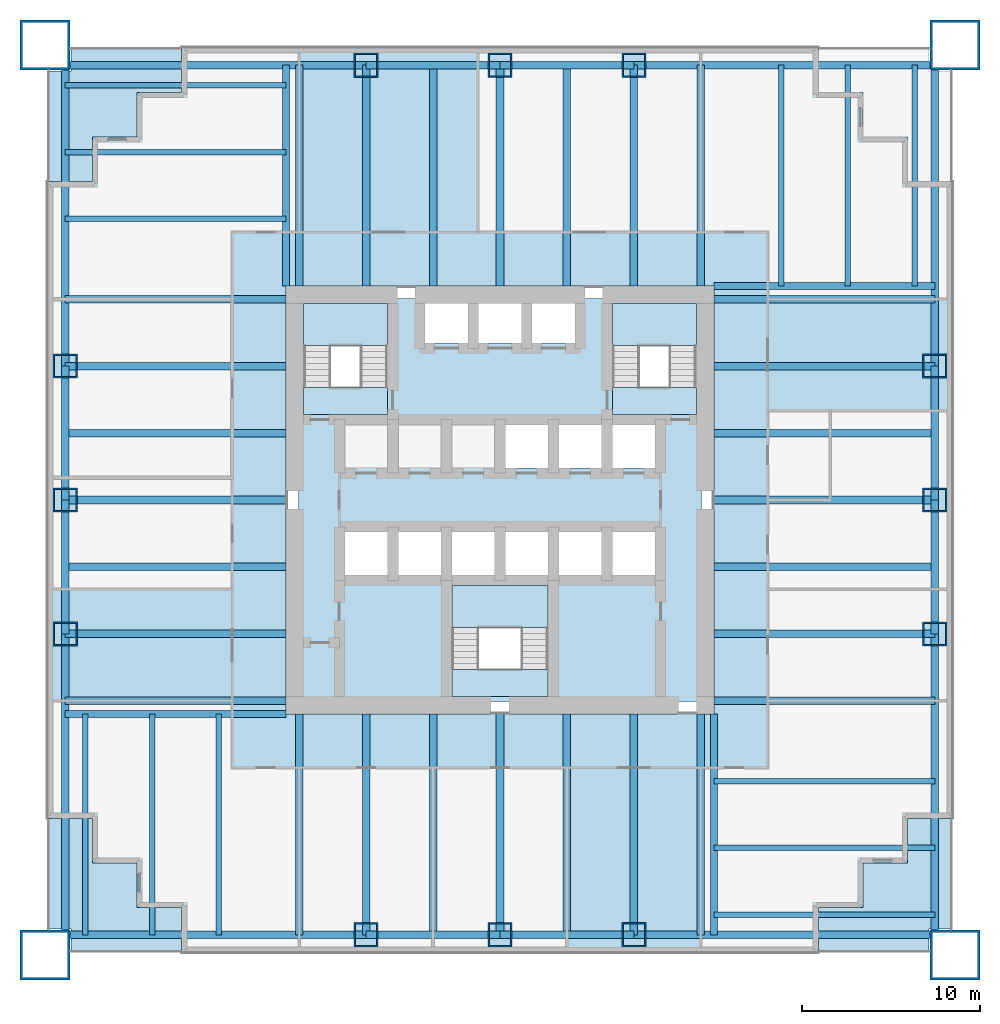
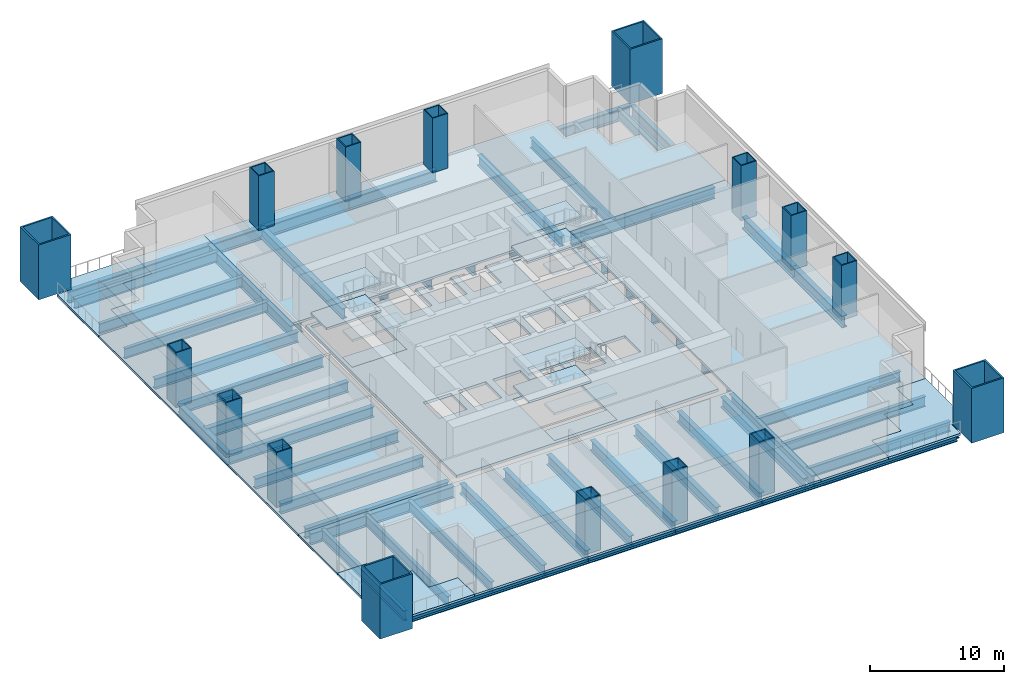
# One storey, part 1 of 6: 60 beams, 20 slabs, 16 columns, 3 elements without a shape of their own.
"""IFC4 building model written with IfcOpenShell, lengths in metres."""

import ifcopenshell
import ifcopenshell.guid

model = None  # the IFC model being written
_history = None  # IfcOwnerHistory: only IFC2X3 demands one
_inside = {}  # id of a spatial element -> (the spatial element, [elements in it])
_under = {}  # id of a project, library or spatial element -> (it, [spatial elements below it])
_declared = {}  # id of a project -> (the project, [libraries it declares])
_typed = {}  # id of a type object -> (the type object, [elements of that type])
_made_of = {}  # id of a material, layer set ... -> (it, [elements and type objects made of it])


def new_model(schema):
    """Start an empty IFC model of exactly this schema.

    Asked for "IFC4X3", IfcOpenShell would pick the latest addendum, in which some entities
    have other attributes; the version numbers below select the first issue.
    IFC2X3 requires an IfcOwnerHistory on every rooted entity: one is made here for all.
    """
    global model, _history
    if schema == "IFC4X3":
        model = ifcopenshell.file(schema_version=(4, 3, 0, 0))
    else:
        model = ifcopenshell.file(schema=schema)
    _inside.clear()
    _under.clear()
    _declared.clear()
    _typed.clear()
    _made_of.clear()
    _history = None
    if model.schema == "IFC2X3":
        org = make("IfcOrganization", Name="unknown")
        user = make(
            "IfcPersonAndOrganization",
            ThePerson=make("IfcPerson", FamilyName="unknown"),
            TheOrganization=org,
        )
        app = make(
            "IfcApplication",
            ApplicationDeveloper=org,
            Version="unknown",
            ApplicationFullName="unknown",
            ApplicationIdentifier="unknown",
        )
        _history = make(
            "IfcOwnerHistory",
            OwningUser=user,
            OwningApplication=app,
            ChangeAction="ADDED",
            CreationDate=0,
        )
    return model


def make(cls, **values):
    """One entity of the class cls with the attributes given. An attribute that is None is left unset."""
    return model.create_entity(
        cls, **{name: value for name, value in values.items() if value is not None}
    )


def rooted(cls, **values):
    """An entity with a GlobalId (a new one), such as an element, a storey or a relation."""
    return make(cls, GlobalId=ifcopenshell.guid.new(), OwnerHistory=_history, **values)


def si_unit(unit_type, name, prefix=None):
    """IfcSIUnit, for example si_unit("LENGTHUNIT", "METRE", prefix="MILLI")."""
    return make("IfcSIUnit", UnitType=unit_type, Prefix=prefix, Name=name)


def assignment(units):
    """IfcUnitAssignment: the units of a project."""
    return None if units is None else make("IfcUnitAssignment", Units=units)


def point(xyz):
    """IfcCartesianPoint."""
    return None if xyz is None else make("IfcCartesianPoint", Coordinates=xyz)


def direction(xyz):
    """IfcDirection."""
    return None if xyz is None else make("IfcDirection", DirectionRatios=xyz)


def frame(location, z_axis=None, x_axis=None):
    """IfcAxis2Placement3D, a coordinate frame: its origin and axes. An axis left out is left unset."""
    return make(
        "IfcAxis2Placement3D",
        Location=point(location),
        Axis=direction(z_axis),
        RefDirection=direction(x_axis),
    )


def frame_2d(location, x_axis=None):
    """IfcAxis2Placement2D, a coordinate frame in the plane: its origin and x axis."""
    return make(
        "IfcAxis2Placement2D", Location=point(location), RefDirection=direction(x_axis)
    )


def origin():
    """The frame at (0, 0, 0) with its axes left unset."""
    return frame((0.0, 0.0, 0.0))


def origin_2d():
    """The frame at (0, 0) in the plane with its x axis left unset."""
    return frame_2d((0.0, 0.0))


def place(relative_to, where):
    """IfcLocalPlacement: puts the frame where relative to a parent placement (None: the world)."""
    return make(
        "IfcLocalPlacement", PlacementRelTo=relative_to, RelativePlacement=where
    )


def context(
    kind, dimensions, precision=None, world=None, true_north=None, identifier=None
):
    """IfcGeometricRepresentationContext, for example the 3D "Model" context."""
    return make(
        "IfcGeometricRepresentationContext",
        ContextIdentifier=identifier,
        ContextType=kind,
        CoordinateSpaceDimension=dimensions,
        Precision=precision,
        WorldCoordinateSystem=world,
        TrueNorth=true_north,
    )


def subcontext(parent, identifier, kind, view, scale=None):
    """IfcGeometricRepresentationSubContext, for example "Body" below "Model"."""
    return make(
        "IfcGeometricRepresentationSubContext",
        ContextIdentifier=identifier,
        ContextType=kind,
        ParentContext=parent,
        TargetScale=scale,
        TargetView=view,
    )


def project(units=None, contexts=None):
    """IfcProject with its units and contexts."""
    return rooted(
        "IfcProject",
        Name="project",
        RepresentationContexts=contexts,
        UnitsInContext=assignment(units),
    )


def spatial(cls, under=None, at=None, **own):
    """A site, building, storey or space (cls), placed at a placement, below another one or the project."""
    s = rooted(cls, ObjectPlacement=at, **own)
    if under is not None:
        _under.setdefault(under.id(), (under, []))[1].append(s)
    return s


def polyline(points):
    """IfcPolyline through the points."""
    return make("IfcPolyline", Points=[point(p) for p in points])


def profile(cls, at=None, kind="AREA", **sizes):
    """A parametric profile (cls). Its sizes go by their IFC names, for example OverallWidth=200.0."""
    return make(cls, ProfileType=kind, Position=at, **sizes)


def hollow_rectangle(**sizes):
    """IfcRectangleHollowProfileDef."""
    return profile("IfcRectangleHollowProfileDef", **sizes)


def i_section(**sizes):
    """IfcIShapeProfileDef."""
    return profile("IfcIShapeProfileDef", **sizes)


def outline(outer, holes=None, kind="AREA"):
    """IfcArbitraryClosedProfileDef: a profile drawn as a closed curve; with holes, ...WithVoids."""
    if holes is None:
        return make("IfcArbitraryClosedProfileDef", ProfileType=kind, OuterCurve=outer)
    return make(
        "IfcArbitraryProfileDefWithVoids",
        ProfileType=kind,
        OuterCurve=outer,
        InnerCurves=holes,
    )


def extrude(swept, where, along, depth):
    """IfcExtrudedAreaSolid: the profile swept, set in the frame where, extruded along a direction by depth."""
    return make(
        "IfcExtrudedAreaSolid",
        SweptArea=swept,
        Position=where,
        ExtrudedDirection=direction(along),
        Depth=depth,
    )


def shape(context_of_items, identifier, shape_type, items):
    """IfcShapeRepresentation: the items that make up one representation, for example the "Body"."""
    return make(
        "IfcShapeRepresentation",
        ContextOfItems=context_of_items,
        RepresentationIdentifier=identifier,
        RepresentationType=shape_type,
        Items=items,
    )


def material(Name=None, Category=None):
    """IfcMaterial."""
    return make("IfcMaterial", Name=Name, Category=Category)


def layer(
    of_material, thickness, ventilated=None, Name=None, Category=None, Priority=None
):
    """IfcMaterialLayer: one layer of a wall or slab, of a material (None: an air gap)."""
    return make(
        "IfcMaterialLayer",
        Material=of_material,
        LayerThickness=thickness,
        IsVentilated=ventilated,
        Name=Name,
        Category=Category,
        Priority=Priority,
    )


def layer_set(layers, Name=None):
    """IfcMaterialLayerSet."""
    return make("IfcMaterialLayerSet", MaterialLayers=layers, LayerSetName=Name)


def material_profile(
    of_material, cross_section, Name=None, Category=None, Priority=None
):
    """IfcMaterialProfile: a cross section and its material."""
    return make(
        "IfcMaterialProfile",
        Name=Name,
        Material=of_material,
        Profile=cross_section,
        Priority=Priority,
        Category=Category,
    )


def profile_set(profiles, Name=None, composite=None):
    """IfcMaterialProfileSet."""
    return make(
        "IfcMaterialProfileSet",
        Name=Name,
        MaterialProfiles=profiles,
        CompositeProfile=composite,
    )


def made_of(thing, what):
    """Note that an element or type object is made of a material, layer set ...; save() writes the relation."""
    if what is not None:
        _made_of.setdefault(what.id(), (what, []))[1].append(thing)
    return thing


def type_object(cls, material=None, **own):
    """A type object (cls), such as IfcWallType, which elements share."""
    return made_of(rooted(cls, **own), material)


def element(
    cls,
    number,
    at=None,
    inside=None,
    cuts=None,
    type_object=None,
    material=None,
    context=None,
    identifier="Body",
    shape_type=None,
    held_by="IfcProductDefinitionShape",
    body=None,
    shapes=None,
    **own,
):
    """One element of the class cls, such as IfcWall. Its Tag is "e" and its number.

    at: its placement. inside: the storey or other place that contains it. cuts: it is an
    opening in that element (IfcRelVoidsElement). A single representation is given by context,
    identifier, shape_type and body (its items); several are given by shapes. held_by: the class
    of the entity that holds the representations. save() writes the other relations.
    """
    e = rooted(cls, Tag="e%d" % number, ObjectPlacement=at, **own)
    if body is not None:
        shapes = [shape(context, identifier, shape_type, body)]
    if shapes is not None:
        e.Representation = make(held_by, Representations=shapes)
    if inside is not None:
        _inside.setdefault(inside.id(), (inside, []))[1].append(e)
    if cuts is not None:
        rooted(
            "IfcRelVoidsElement", RelatingBuildingElement=cuts, RelatedOpeningElement=e
        )
    if type_object is not None:
        _typed.setdefault(type_object.id(), (type_object, []))[1].append(e)
    return made_of(e, material)


def aggregate(whole, parts):
    """IfcRelAggregates: a whole, such as a stair, and the parts it consists of."""
    return rooted("IfcRelAggregates", RelatingObject=whole, RelatedObjects=parts)


def save(model, path):
    """Write the relations noted so far, then the file.

    IfcRelAggregates (storeys below a building ...), IfcRelContainedInSpatialStructure (elements
    in a storey), IfcRelDefinesByType, IfcRelAssociatesMaterial and IfcRelDeclares: one each for
    every whole, place, type object, material and project.
    """
    for whole, parts in _under.values():
        aggregate(whole, parts)
    for where, things in _inside.values():
        rooted(
            "IfcRelContainedInSpatialStructure",
            RelatedElements=things,
            RelatingStructure=where,
        )
    for kind, things in _typed.values():
        rooted("IfcRelDefinesByType", RelatedObjects=things, RelatingType=kind)
    for what, things in _made_of.values():
        rooted("IfcRelAssociatesMaterial", RelatedObjects=things, RelatingMaterial=what)
    for by, libraries in _declared.values():
        rooted("IfcRelDeclares", RelatingContext=by, RelatedDefinitions=libraries)
    model.write(path)


model = new_model("IFC4")

# Units and contexts
model_context = context("Model", 3, precision=1e-05, world=origin(), true_north=direction((0.0, 1.0)))
body_context = subcontext(model_context, "Body", "Model", "MODEL_VIEW")
ifc_project = project(units=[si_unit("LENGTHUNIT", "METRE"), si_unit("AREAUNIT", "SQUARE_METRE"), si_unit("VOLUMEUNIT", "CUBIC_METRE"), si_unit("PLANEANGLEUNIT", "RADIAN"), si_unit("MASSUNIT", "GRAM", prefix="KILO")], contexts=[model_context])

# Site, building, storey
site_placement = place(None, origin())
site = spatial("IfcSite", under=ifc_project, at=site_placement, CompositionType="ELEMENT")
building_placement = place(site_placement, origin())
building = spatial("IfcBuilding", under=site, at=building_placement, Name="Tarangal Relay Tower", CompositionType="ELEMENT")
storey_placement = place(building_placement, frame((0.0, 0.0, 83.39990234375)))
storey = spatial("IfcBuildingStorey", under=building, at=storey_placement, Name="L16", CompositionType="ELEMENT", Elevation=83.39990234375)

# Columns
ifc_material_1 = material(Name="Steel ASTM A572 Grade 42", Category="steel")
ifc_material_profile_1 = material_profile(ifc_material_1, hollow_rectangle(XDim=2.800048828125, YDim=2.800048828125, WallThickness=0.139892578125, at=origin_2d()), Name="BOX2800X2800X140")
ifc_profile_set_1 = profile_set([ifc_material_profile_1], Name="Steel ASTM A572 Grade 42")
column_type_1 = type_object("IfcColumnType", Name="Mega column BOX2800X2800X140", PredefinedType="COLUMN", material=ifc_profile_set_1)
for number, where, z_axis, x_axis, name in (
    (1, (25.5, 25.5, 0.0), (0.0, 0.0, 1.0), (1.0, 0.0, 0.0), "Mega column MC1 NE L16"),
    (2, (25.5, -25.5, 0.0), (0.0, 0.0, 1.0), (1.0, 0.0, 0.0), "Mega column MC1 SE L16"),
    (3, (-25.5, -25.5, 0.0), (0.0, 0.0, 1.0), (1.0, 0.0, 0.0), "Mega column MC1 SW L16"),
    (4, (-25.5, 25.5, 0.0), (0.0, 0.0, 1.0), (1.0, 0.0, 0.0), "Mega column MC1 NW L16"),
):
    element("IfcColumn", number, at=place(storey_placement, frame(where, z_axis=z_axis, x_axis=x_axis)), inside=storey, type_object=column_type_1, Name=name, PredefinedType="COLUMN", context=body_context, shape_type="SweptSolid", body=[
        extrude(hollow_rectangle(XDim=2.800048828125, YDim=2.800048828125, WallThickness=0.139892578125, at=origin_2d()), origin(), (0.0, 0.0, 1.0), 5.0),
    ])
ifc_material_2 = material(Name="Steel ASTM A572 Grade 50", Category="steel")
ifc_material_profile_2 = material_profile(ifc_material_2, hollow_rectangle(XDim=1.35009765625, YDim=1.35009765625, WallThickness=0.0849609375, at=origin_2d()), Name="BOX1350X1350X85")
ifc_profile_set_2 = profile_set([ifc_material_profile_2], Name="Steel ASTM A572 Grade 50")
column_type_2 = type_object("IfcColumnType", Name="Perimeter column BOX1350X1350X85", PredefinedType="COLUMN", material=ifc_profile_set_2)
for number, where, z_axis, x_axis, name in (
    (5, (-7.5, 24.364990234375, 0.0), (0.0, 0.0, 1.0), (1.0, 0.0, 0.0), "Perimeter column PC2 N L16"),
    (6, (0.0, 24.364990234375, 0.0), (0.0, 0.0, 1.0), (1.0, 0.0, 0.0), "Perimeter column PC2 N L16"),
    (7, (7.5, 24.364990234375, 0.0), (0.0, 0.0, 1.0), (1.0, 0.0, 0.0), "Perimeter column PC2 N L16"),
    (8, (24.364990234375, 7.5, 0.0), (0.0, 0.0, 1.0), (1.0, 0.0, 0.0), "Perimeter column PC2 E L16"),
    (9, (24.364990234375, 0.0, 0.0), (0.0, 0.0, 1.0), (1.0, 0.0, 0.0), "Perimeter column PC2 E L16"),
    (10, (24.364990234375, -7.5, 0.0), (0.0, 0.0, 1.0), (1.0, 0.0, 0.0), "Perimeter column PC2 E L16"),
    (11, (7.5, -24.364990234375, 0.0), (0.0, 0.0, 1.0), (1.0, 0.0, 0.0), "Perimeter column PC2 S L16"),
    (12, (0.0, -24.364990234375, 0.0), (0.0, 0.0, 1.0), (1.0, 0.0, 0.0), "Perimeter column PC2 S L16"),
    (13, (-7.5, -24.364990234375, 0.0), (0.0, 0.0, 1.0), (1.0, 0.0, 0.0), "Perimeter column PC2 S L16"),
    (14, (-24.364990234375, -7.5, 0.0), (0.0, 0.0, 1.0), (1.0, 0.0, 0.0), "Perimeter column PC2 W L16"),
    (15, (-24.364990234375, 0.0, 0.0), (0.0, 0.0, 1.0), (1.0, 0.0, 0.0), "Perimeter column PC2 W L16"),
    (16, (-24.364990234375, 7.5, 0.0), (0.0, 0.0, 1.0), (1.0, 0.0, 0.0), "Perimeter column PC2 W L16"),
):
    element("IfcColumn", number, at=place(storey_placement, frame(where, z_axis=z_axis, x_axis=x_axis)), inside=storey, type_object=column_type_2, Name=name, PredefinedType="COLUMN", context=body_context, shape_type="SweptSolid", body=[
        extrude(hollow_rectangle(XDim=1.35009765625, YDim=1.35009765625, WallThickness=0.0849609375, at=origin_2d()), origin(), (0.0, 0.0, 1.0), 5.0),
    ])

# Beams
ifc_material_3 = material(Name="Steel ASTM A992", Category="steel")
ifc_material_profile_3 = material_profile(ifc_material_3, i_section(OverallWidth=0.307373046875, OverallDepth=0.927001953125, WebThickness=0.019287109375, FlangeThickness=0.031982421875, at=origin_2d()), Name="W36X194")
ifc_profile_set_3 = profile_set([ifc_material_profile_3], Name="Steel ASTM A992")
beam_type_1 = type_object("IfcBeamType", Name="Corner beam W36X194", PredefinedType="JOIST", material=ifc_profile_set_3)
for number, where, z_axis, x_axis, name in (
    (17, (15.75, 12.0, -0.663330078125), (0.0, 1.0, 0.0), (-1.0, 0.0, 0.0), "Corner beam CB10 N L16"),
    (18, (19.5, 12.0, -0.663330078125), (0.0, 1.0, 0.0), (-1.0, 0.0, 0.0), "Corner beam CB10 N L16"),
    (19, (23.25, 12.0, -0.663330078125), (0.0, 1.0, 0.0), (-1.0, 0.0, 0.0), "Corner beam CB10 N L16"),
    (20, (12.0, -15.75, -0.663330078125), (1.0, 0.0, 0.0), (0.0, 1.0, 0.0), "Corner beam CB10 E L16"),
    (21, (12.0, -19.5, -0.663330078125), (1.0, 0.0, 0.0), (0.0, 1.0, 0.0), "Corner beam CB10 E L16"),
    (22, (12.0, -23.25, -0.663330078125), (1.0, 0.0, 0.0), (0.0, 1.0, 0.0), "Corner beam CB10 E L16"),
    (23, (-15.75, -12.0, -0.663330078125), (0.0, -1.0, 0.0), (1.0, 0.0, 0.0), "Corner beam CB10 S L16"),
    (24, (-19.5, -12.0, -0.663330078125), (0.0, -1.0, 0.0), (1.0, 0.0, 0.0), "Corner beam CB10 S L16"),
    (25, (-23.25, -12.0, -0.663330078125), (0.0, -1.0, 0.0), (1.0, 0.0, 0.0), "Corner beam CB10 S L16"),
    (26, (-12.0, 15.75, -0.663330078125), (-1.0, 0.0, 0.0), (0.0, -1.0, 0.0), "Corner beam CB10 W L16"),
    (27, (-12.0, 19.5, -0.663330078125), (-1.0, 0.0, 0.0), (0.0, -1.0, 0.0), "Corner beam CB10 W L16"),
    (28, (-12.0, 23.25, -0.663330078125), (-1.0, 0.0, 0.0), (0.0, -1.0, 0.0), "Corner beam CB10 W L16"),
):
    element("IfcBeam", number, at=place(storey_placement, frame(where, z_axis=z_axis, x_axis=x_axis)), inside=storey, type_object=beam_type_1, Name=name, PredefinedType="JOIST", context=body_context, shape_type="SweptSolid", body=[
        extrude(i_section(OverallWidth=0.307373046875, OverallDepth=0.927001953125, WebThickness=0.019287109375, FlangeThickness=0.031982421875, at=origin_2d()), origin(), (0.0, 0.0, 1.0), 12.364990234375),
    ])
ifc_material_profile_4 = material_profile(ifc_material_3, i_section(OverallWidth=0.40380859375, OverallDepth=1.036376953125, WebThickness=0.031005859375, FlangeThickness=0.0458984375, at=origin_2d()), Name="W40X331")
ifc_profile_set_4 = profile_set([ifc_material_profile_4], Name="Steel ASTM A992")
beam_type_2 = type_object("IfcBeamType", Name="Corner girder W40X331", PredefinedType="BEAM", material=ifc_profile_set_4)
for number, where, z_axis, x_axis, name in (
    (29, (12.0, 12.0, -0.718017578125), (1.0, 0.0, 0.0), (0.0, 1.0, 0.0), "Corner girder CG2 N L16"),
    (30, (12.0, -12.0, -0.718017578125), (0.0, -1.0, 0.0), (1.0, 0.0, 0.0), "Corner girder CG2 E L16"),
    (31, (-12.0, -12.0, -0.718017578125), (-1.0, 0.0, 0.0), (0.0, -1.0, 0.0), "Corner girder CG2 S L16"),
    (32, (-12.0, 12.0, -0.718017578125), (0.0, 1.0, 0.0), (-1.0, 0.0, 0.0), "Corner girder CG2 W L16"),
):
    element("IfcBeam", number, at=place(storey_placement, frame(where, z_axis=z_axis, x_axis=x_axis)), inside=storey, type_object=beam_type_2, Name=name, PredefinedType="BEAM", context=body_context, shape_type="SweptSolid", body=[
        extrude(i_section(OverallWidth=0.40380859375, OverallDepth=1.036376953125, WebThickness=0.031005859375, FlangeThickness=0.0458984375, at=origin_2d()), origin(), (0.0, 0.0, 1.0), 12.364990234375),
    ])
ifc_material_profile_5 = material_profile(ifc_material_3, i_section(OverallWidth=0.42431640625, OverallDepth=1.09228515625, WebThickness=0.04541015625, FlangeThickness=0.08203125, at=origin_2d()), Name="W40X593")
ifc_profile_set_5 = profile_set([ifc_material_profile_5], Name="Steel ASTM A992")
beam_type_3 = type_object("IfcBeamType", Name="Edge girder W40X593", PredefinedType="SPANDREL", material=ifc_profile_set_5)
beam_1_placement = place(storey_placement, frame((-24.25, 24.364990234375, -0.74609375), z_axis=(1.0, 0.0, 0.0), x_axis=(0.0, 1.0, 0.0)))
element("IfcBeam", 33, at=beam_1_placement, inside=storey, type_object=beam_type_3, Name="Edge girder EG9 N L16", PredefinedType="SPANDREL", context=body_context, shape_type="SweptSolid", body=[
    extrude(i_section(OverallWidth=0.42431640625, OverallDepth=1.09228515625, WebThickness=0.04541015625, FlangeThickness=0.08203125, at=origin_2d()), origin(), (0.0, 0.0, 1.0), 16.75),
])
for number, where, z_axis, x_axis, name in (
    (34, (-7.5, 24.364990234375, -0.74609375), (1.0, 0.0, 0.0), (0.0, 1.0, 0.0), "Edge girder EG9 N L16"),
    (35, (0.0, 24.364990234375, -0.74609375), (1.0, 0.0, 0.0), (0.0, 1.0, 0.0), "Edge girder EG9 N L16"),
):
    element("IfcBeam", number, at=place(storey_placement, frame(where, z_axis=z_axis, x_axis=x_axis)), inside=storey, type_object=beam_type_3, Name=name, PredefinedType="SPANDREL", context=body_context, shape_type="SweptSolid", body=[
        extrude(i_section(OverallWidth=0.42431640625, OverallDepth=1.09228515625, WebThickness=0.04541015625, FlangeThickness=0.08203125, at=origin_2d()), origin(), (0.0, 0.0, 1.0), 7.5),
    ])
for number, where, z_axis, x_axis, name in (
    (36, (7.5, 24.364990234375, -0.74609375), (1.0, 0.0, 0.0), (0.0, 1.0, 0.0), "Edge girder EG9 N L16"),
    (37, (24.364990234375, 24.25, -0.74609375), (0.0, -1.0, 0.0), (1.0, 0.0, 0.0), "Edge girder EG9 E L16"),
):
    element("IfcBeam", number, at=place(storey_placement, frame(where, z_axis=z_axis, x_axis=x_axis)), inside=storey, type_object=beam_type_3, Name=name, PredefinedType="SPANDREL", context=body_context, shape_type="SweptSolid", body=[
        extrude(i_section(OverallWidth=0.42431640625, OverallDepth=1.09228515625, WebThickness=0.04541015625, FlangeThickness=0.08203125, at=origin_2d()), origin(), (0.0, 0.0, 1.0), 16.75),
    ])
for number, where, z_axis, x_axis, name in (
    (38, (24.364990234375, 7.5, -0.74609375), (0.0, -1.0, 0.0), (1.0, 0.0, 0.0), "Edge girder EG9 E L16"),
    (39, (24.364990234375, 0.0, -0.74609375), (0.0, -1.0, 0.0), (1.0, 0.0, 0.0), "Edge girder EG9 E L16"),
):
    element("IfcBeam", number, at=place(storey_placement, frame(where, z_axis=z_axis, x_axis=x_axis)), inside=storey, type_object=beam_type_3, Name=name, PredefinedType="SPANDREL", context=body_context, shape_type="SweptSolid", body=[
        extrude(i_section(OverallWidth=0.42431640625, OverallDepth=1.09228515625, WebThickness=0.04541015625, FlangeThickness=0.08203125, at=origin_2d()), origin(), (0.0, 0.0, 1.0), 7.5),
    ])
for number, where, z_axis, x_axis, name in (
    (40, (24.364990234375, -7.5, -0.74609375), (0.0, -1.0, 0.0), (1.0, 0.0, 0.0), "Edge girder EG9 E L16"),
    (41, (24.25, -24.364990234375, -0.74609375), (-1.0, 0.0, 0.0), (0.0, -1.0, 0.0), "Edge girder EG9 S L16"),
):
    element("IfcBeam", number, at=place(storey_placement, frame(where, z_axis=z_axis, x_axis=x_axis)), inside=storey, type_object=beam_type_3, Name=name, PredefinedType="SPANDREL", context=body_context, shape_type="SweptSolid", body=[
        extrude(i_section(OverallWidth=0.42431640625, OverallDepth=1.09228515625, WebThickness=0.04541015625, FlangeThickness=0.08203125, at=origin_2d()), origin(), (0.0, 0.0, 1.0), 16.75),
    ])
for number, where, z_axis, x_axis, name in (
    (42, (7.5, -24.364990234375, -0.74609375), (-1.0, 0.0, 0.0), (0.0, -1.0, 0.0), "Edge girder EG9 S L16"),
    (43, (0.0, -24.364990234375, -0.74609375), (-1.0, 0.0, 0.0), (0.0, -1.0, 0.0), "Edge girder EG9 S L16"),
):
    element("IfcBeam", number, at=place(storey_placement, frame(where, z_axis=z_axis, x_axis=x_axis)), inside=storey, type_object=beam_type_3, Name=name, PredefinedType="SPANDREL", context=body_context, shape_type="SweptSolid", body=[
        extrude(i_section(OverallWidth=0.42431640625, OverallDepth=1.09228515625, WebThickness=0.04541015625, FlangeThickness=0.08203125, at=origin_2d()), origin(), (0.0, 0.0, 1.0), 7.5),
    ])
for number, where, z_axis, x_axis, name in (
    (44, (-7.5, -24.364990234375, -0.74609375), (-1.0, 0.0, 0.0), (0.0, -1.0, 0.0), "Edge girder EG9 S L16"),
    (45, (-24.364990234375, -24.25, -0.74609375), (0.0, 1.0, 0.0), (-1.0, 0.0, 0.0), "Edge girder EG9 W L16"),
):
    element("IfcBeam", number, at=place(storey_placement, frame(where, z_axis=z_axis, x_axis=x_axis)), inside=storey, type_object=beam_type_3, Name=name, PredefinedType="SPANDREL", context=body_context, shape_type="SweptSolid", body=[
        extrude(i_section(OverallWidth=0.42431640625, OverallDepth=1.09228515625, WebThickness=0.04541015625, FlangeThickness=0.08203125, at=origin_2d()), origin(), (0.0, 0.0, 1.0), 16.75),
    ])
for number, where, z_axis, x_axis, name in (
    (46, (-24.364990234375, -7.5, -0.74609375), (0.0, 1.0, 0.0), (-1.0, 0.0, 0.0), "Edge girder EG9 W L16"),
    (47, (-24.364990234375, 0.0, -0.74609375), (0.0, 1.0, 0.0), (-1.0, 0.0, 0.0), "Edge girder EG9 W L16"),
):
    element("IfcBeam", number, at=place(storey_placement, frame(where, z_axis=z_axis, x_axis=x_axis)), inside=storey, type_object=beam_type_3, Name=name, PredefinedType="SPANDREL", context=body_context, shape_type="SweptSolid", body=[
        extrude(i_section(OverallWidth=0.42431640625, OverallDepth=1.09228515625, WebThickness=0.04541015625, FlangeThickness=0.08203125, at=origin_2d()), origin(), (0.0, 0.0, 1.0), 7.5),
    ])
beam_2_placement = place(storey_placement, frame((-24.364990234375, 7.5, -0.74609375), z_axis=(0.0, 1.0, 0.0), x_axis=(-1.0, 0.0, 0.0)))
element("IfcBeam", 48, at=beam_2_placement, inside=storey, type_object=beam_type_3, Name="Edge girder EG9 W L16", PredefinedType="SPANDREL", context=body_context, shape_type="SweptSolid", body=[
    extrude(i_section(OverallWidth=0.42431640625, OverallDepth=1.09228515625, WebThickness=0.04541015625, FlangeThickness=0.08203125, at=origin_2d()), origin(), (0.0, 0.0, 1.0), 16.75),
])
ifc_material_profile_6 = material_profile(ifc_material_3, i_section(OverallWidth=0.42431640625, OverallDepth=0.947509765625, WebThickness=0.02392578125, FlangeThickness=0.042724609375, at=origin_2d()), Name="W36X302")
ifc_profile_set_6 = profile_set([ifc_material_profile_6], Name="Steel ASTM A992")
beam_type_4 = type_object("IfcBeamType", Name="Floor beam W36X302", PredefinedType="BEAM", material=ifc_profile_set_6)
for number, where, z_axis, x_axis, name in (
    (49, (-11.25, 12.0, -0.673583984375), (0.0, 1.0, 0.0), (-1.0, 0.0, 0.0), "Floor beam RB10 N L16"),
    (50, (-7.5, 12.0, -0.673583984375), (0.0, 1.0, 0.0), (-1.0, 0.0, 0.0), "Floor beam RB10 N L16"),
    (51, (-3.75, 12.0, -0.673583984375), (0.0, 1.0, 0.0), (-1.0, 0.0, 0.0), "Floor beam RB10 N L16"),
    (52, (0.0, 12.0, -0.673583984375), (0.0, 1.0, 0.0), (-1.0, 0.0, 0.0), "Floor beam RB10 N L16"),
    (53, (3.75, 12.0, -0.673583984375), (0.0, 1.0, 0.0), (-1.0, 0.0, 0.0), "Floor beam RB10 N L16"),
    (54, (7.5, 12.0, -0.673583984375), (0.0, 1.0, 0.0), (-1.0, 0.0, 0.0), "Floor beam RB10 N L16"),
    (55, (11.25, 12.0, -0.673583984375), (0.0, 1.0, 0.0), (-1.0, 0.0, 0.0), "Floor beam RB10 N L16"),
    (56, (12.0, 11.25, -0.673583984375), (1.0, 0.0, 0.0), (0.0, 1.0, 0.0), "Floor beam RB10 E L16"),
    (57, (12.0, 7.5, -0.673583984375), (1.0, 0.0, 0.0), (0.0, 1.0, 0.0), "Floor beam RB10 E L16"),
    (58, (12.0, 3.75, -0.673583984375), (1.0, 0.0, 0.0), (0.0, 1.0, 0.0), "Floor beam RB10 E L16"),
    (59, (12.0, 0.0, -0.673583984375), (1.0, 0.0, 0.0), (0.0, 1.0, 0.0), "Floor beam RB10 E L16"),
    (60, (12.0, -3.75, -0.673583984375), (1.0, 0.0, 0.0), (0.0, 1.0, 0.0), "Floor beam RB10 E L16"),
    (61, (12.0, -7.5, -0.673583984375), (1.0, 0.0, 0.0), (0.0, 1.0, 0.0), "Floor beam RB10 E L16"),
    (62, (12.0, -11.25, -0.673583984375), (1.0, 0.0, 0.0), (0.0, 1.0, 0.0), "Floor beam RB10 E L16"),
    (63, (11.25, -12.0, -0.673583984375), (0.0, -1.0, 0.0), (1.0, 0.0, 0.0), "Floor beam RB10 S L16"),
    (64, (7.5, -12.0, -0.673583984375), (0.0, -1.0, 0.0), (1.0, 0.0, 0.0), "Floor beam RB10 S L16"),
    (65, (3.75, -12.0, -0.673583984375), (0.0, -1.0, 0.0), (1.0, 0.0, 0.0), "Floor beam RB10 S L16"),
    (66, (0.0, -12.0, -0.673583984375), (0.0, -1.0, 0.0), (1.0, 0.0, 0.0), "Floor beam RB10 S L16"),
    (67, (-3.75, -12.0, -0.673583984375), (0.0, -1.0, 0.0), (1.0, 0.0, 0.0), "Floor beam RB10 S L16"),
    (68, (-7.5, -12.0, -0.673583984375), (0.0, -1.0, 0.0), (1.0, 0.0, 0.0), "Floor beam RB10 S L16"),
    (69, (-11.25, -12.0, -0.673583984375), (0.0, -1.0, 0.0), (1.0, 0.0, 0.0), "Floor beam RB10 S L16"),
    (70, (-12.0, -11.25, -0.673583984375), (-1.0, 0.0, 0.0), (0.0, -1.0, 0.0), "Floor beam RB10 W L16"),
    (71, (-12.0, -7.5, -0.673583984375), (-1.0, 0.0, 0.0), (0.0, -1.0, 0.0), "Floor beam RB10 W L16"),
    (72, (-12.0, -3.75, -0.673583984375), (-1.0, 0.0, 0.0), (0.0, -1.0, 0.0), "Floor beam RB10 W L16"),
    (73, (-12.0, 0.0, -0.673583984375), (-1.0, 0.0, 0.0), (0.0, -1.0, 0.0), "Floor beam RB10 W L16"),
    (74, (-12.0, 3.75, -0.673583984375), (-1.0, 0.0, 0.0), (0.0, -1.0, 0.0), "Floor beam RB10 W L16"),
    (75, (-12.0, 7.5, -0.673583984375), (-1.0, 0.0, 0.0), (0.0, -1.0, 0.0), "Floor beam RB10 W L16"),
    (76, (-12.0, 11.25, -0.673583984375), (-1.0, 0.0, 0.0), (0.0, -1.0, 0.0), "Floor beam RB10 W L16"),
):
    element("IfcBeam", number, at=place(storey_placement, frame(where, z_axis=z_axis, x_axis=x_axis)), inside=storey, type_object=beam_type_4, Name=name, PredefinedType="BEAM", context=body_context, shape_type="SweptSolid", body=[
        extrude(i_section(OverallWidth=0.42431640625, OverallDepth=0.947509765625, WebThickness=0.02392578125, FlangeThickness=0.042724609375, at=origin_2d()), origin(), (0.0, 0.0, 1.0), 12.364990234375),
    ])

# Slabs
ifc_material_4 = material(Name="Concrete fc' 35 MPa", Category="concrete")
ifc_layer_1 = layer(ifc_material_4, 0.25)
ifc_layer_set_1 = layer_set([ifc_layer_1], Name="Core floor slab 250")
slab_type_1 = type_object("IfcSlabType", Name="Core floor slab 250", PredefinedType="FLOOR", material=ifc_layer_set_1)
slab_1_placement = place(storey_placement, frame((0.0, 0.0, -0.25)))
element("IfcSlab", 77, at=slab_1_placement, inside=storey, type_object=slab_type_1, Name="Core floor slab L16", PredefinedType="FLOOR", context=body_context, shape_type="SweptSolid", body=[
    extrude(outline(polyline([(11.300048828125, 11.300048828125), (11.300048828125, -11.300048828125), (-11.300048828125, -11.300048828125), (-11.300048828125, 11.300048828125), (-4.199951171875, 11.300048828125), (-4.199951171875, 8.800048828125), (-1.800048828125, 8.800048828125), (-1.800048828125, 11.300048828125), (-1.199951171875, 11.300048828125), (-1.199951171875, 8.800048828125), (1.199951171875, 8.800048828125), (1.199951171875, 11.300048828125), (1.800048828125, 11.300048828125), (1.800048828125, 8.800048828125), (4.199951171875, 8.800048828125), (4.199951171875, 11.300048828125), (11.300048828125, 11.300048828125)]), holes=[polyline([(2.699951171875, -4.800048828125), (-2.699951171875, -4.800048828125), (-2.699951171875, -11.0), (2.699951171875, -11.0), (2.699951171875, -4.800048828125)]), polyline([(-6.300048828125, -4.199951171875), (-6.300048828125, -1.800048828125), (-8.699951171875, -1.800048828125), (-8.699951171875, -4.199951171875), (-6.300048828125, -4.199951171875)]), polyline([(-3.300048828125, -4.199951171875), (-3.300048828125, -1.800048828125), (-5.699951171875, -1.800048828125), (-5.699951171875, -4.199951171875), (-3.300048828125, -4.199951171875)]), polyline([(-0.300048828125, -4.199951171875), (-0.300048828125, -1.800048828125), (-2.699951171875, -1.800048828125), (-2.699951171875, -4.199951171875), (-0.300048828125, -4.199951171875)]), polyline([(2.699951171875, 1.800048828125), (2.699951171875, 4.199951171875), (0.300048828125, 4.199951171875), (0.300048828125, 1.800048828125), (2.699951171875, 1.800048828125)]), polyline([(-6.300048828125, 4.800048828125), (-6.300048828125, 11.0), (-11.0, 11.0), (-11.0, 4.800048828125), (-6.300048828125, 4.800048828125)]), polyline([(2.699951171875, -4.199951171875), (2.699951171875, -1.800048828125), (0.300048828125, -1.800048828125), (0.300048828125, -4.199951171875), (2.699951171875, -4.199951171875)]), polyline([(5.699951171875, -4.199951171875), (5.699951171875, -1.800048828125), (3.300048828125, -1.800048828125), (3.300048828125, -4.199951171875), (5.699951171875, -4.199951171875)]), polyline([(8.699951171875, -4.199951171875), (8.699951171875, -1.800048828125), (6.300048828125, -1.800048828125), (6.300048828125, -4.199951171875), (8.699951171875, -4.199951171875)]), polyline([(5.699951171875, 1.800048828125), (5.699951171875, 4.199951171875), (3.300048828125, 4.199951171875), (3.300048828125, 1.800048828125), (5.699951171875, 1.800048828125)]), polyline([(8.699951171875, 1.800048828125), (8.699951171875, 4.199951171875), (6.300048828125, 4.199951171875), (6.300048828125, 1.800048828125), (8.699951171875, 1.800048828125)]), polyline([(11.0, 4.800048828125), (11.0, 11.0), (6.300048828125, 11.0), (6.300048828125, 4.800048828125), (11.0, 4.800048828125)])]), origin(), (0.0, 0.0, 1.0), 0.25),
])
ifc_layer_2 = layer(ifc_material_4, 0.199951171875)
ifc_layer_set_2 = layer_set([ifc_layer_2], Name="Floor slab 200")
slab_type_2 = type_object("IfcSlabType", Name="Floor slab 200", PredefinedType="FLOOR", material=ifc_layer_set_2)
slab_2_placement = place(storey_placement, frame((0.0, 0.0, -0.199951171875)))
element("IfcSlab", 78, at=slab_2_placement, inside=storey, type_object=slab_type_2, Name="Floor slab FS2 L16 north bay", PredefinedType="FLOOR", context=body_context, shape_type="SweptSolid", body=[
    extrude(outline(polyline([(17.85009765625, 25.35009765625), (17.85009765625, 22.85009765625), (20.35009765625, 22.85009765625), (20.35009765625, 20.35009765625), (22.85009765625, 20.35009765625), (22.85009765625, 17.85009765625), (25.35009765625, 17.85009765625), (25.35009765625, 12.0), (-12.0, 12.0), (-12.0, 25.35009765625), (17.85009765625, 25.35009765625)])), origin(), (0.0, 0.0, 1.0), 0.199951171875),
])
slab_3_placement = place(storey_placement, frame((0.0, 0.0, -0.199951171875)))
element("IfcSlab", 79, at=slab_3_placement, inside=storey, type_object=slab_type_2, Name="Floor slab FS2 L16 east bay", PredefinedType="FLOOR", context=body_context, shape_type="SweptSolid", body=[
    extrude(outline(polyline([(25.35009765625, -17.85009765625), (22.85009765625, -17.85009765625), (22.85009765625, -20.35009765625), (20.35009765625, -20.35009765625), (20.35009765625, -22.85009765625), (17.85009765625, -22.85009765625), (17.85009765625, -25.35009765625), (12.0, -25.35009765625), (12.0, 12.0), (25.35009765625, 12.0), (25.35009765625, -17.85009765625)])), origin(), (0.0, 0.0, 1.0), 0.199951171875),
])
slab_4_placement = place(storey_placement, frame((0.0, 0.0, -0.199951171875)))
element("IfcSlab", 80, at=slab_4_placement, inside=storey, type_object=slab_type_2, Name="Floor slab FS2 L16 south bay", PredefinedType="FLOOR", context=body_context, shape_type="SweptSolid", body=[
    extrude(outline(polyline([(-17.85009765625, -25.35009765625), (-17.85009765625, -22.85009765625), (-20.35009765625, -22.85009765625), (-20.35009765625, -20.35009765625), (-22.85009765625, -20.35009765625), (-22.85009765625, -17.85009765625), (-25.35009765625, -17.85009765625), (-25.35009765625, -12.0), (12.0, -12.0), (12.0, -25.35009765625), (-17.85009765625, -25.35009765625)])), origin(), (0.0, 0.0, 1.0), 0.199951171875),
])
slab_5_placement = place(storey_placement, frame((0.0, 0.0, -0.199951171875)))
element("IfcSlab", 81, at=slab_5_placement, inside=storey, type_object=slab_type_2, Name="Floor slab FS2 L16 west bay", PredefinedType="FLOOR", context=body_context, shape_type="SweptSolid", body=[
    extrude(outline(polyline([(-12.0, 25.35009765625), (-12.0, -12.0), (-25.35009765625, -12.0), (-25.35009765625, 17.85009765625), (-22.85009765625, 17.85009765625), (-22.85009765625, 20.35009765625), (-20.35009765625, 20.35009765625), (-20.35009765625, 22.85009765625), (-17.85009765625, 22.85009765625), (-17.85009765625, 25.35009765625), (-12.0, 25.35009765625)])), origin(), (0.0, 0.0, 1.0), 0.199951171875),
])

# Stair, slabs
ifc_material_5 = material(Name="Steel ASTM A992 stair flight", Category="steel")
stair_type = type_object("IfcStairType", Name="Core stair 1500", PredefinedType="HALF_TURN_STAIR", material=ifc_material_5)
stair_1_placement = place(storey_placement, origin())
stair_1 = element("IfcStair", 82, at=stair_1_placement, inside=storey, type_object=stair_type, Name="Stair ST-A L16", PredefinedType="HALF_TURN_STAIR")
ifc_layer_3 = layer(ifc_material_4, 0.199951171875)
ifc_layer_set_3 = layer_set([ifc_layer_3], Name="Stair landing 200")
slab_type_3 = type_object("IfcSlabType", Name="Stair landing 200", PredefinedType="LANDING", material=ifc_layer_set_3)
slab_6_placement = place(storey_placement, frame((0.0, 0.0, -0.199951171875)))
slab_6 = element("IfcSlab", 83, at=slab_6_placement, type_object=slab_type_3, Name="ST-A landing 1", PredefinedType="LANDING", context=body_context, shape_type="SweptSolid", body=[
    extrude(outline(polyline([(-11.0, 4.800048828125), (-6.300048828125, 4.800048828125), (-6.300048828125, 6.300048828125), (-11.0, 6.300048828125), (-11.0, 4.800048828125)])), origin(), (0.0, 0.0, 1.0), 0.199951171875),
])
slab_7_placement = place(storey_placement, frame((0.0, 0.0, 1.050048828125)))
slab_7 = element("IfcSlab", 84, at=slab_7_placement, type_object=slab_type_3, Name="ST-A landing 2", PredefinedType="LANDING", context=body_context, shape_type="SweptSolid", body=[
    extrude(outline(polyline([(-11.0, 8.64501953125), (-6.300048828125, 8.64501953125), (-6.300048828125, 11.0), (-11.0, 11.0), (-11.0, 8.64501953125)])), origin(), (0.0, 0.0, 1.0), 0.199951171875),
])
slab_8_placement = place(storey_placement, frame((0.0, 0.0, 2.300048828125)))
slab_8 = element("IfcSlab", 85, at=slab_8_placement, type_object=slab_type_3, Name="ST-A landing 3", PredefinedType="LANDING", context=body_context, shape_type="SweptSolid", body=[
    extrude(outline(polyline([(-11.0, 4.800048828125), (-6.300048828125, 4.800048828125), (-6.300048828125, 6.300048828125), (-11.0, 6.300048828125), (-11.0, 4.800048828125)])), origin(), (0.0, 0.0, 1.0), 0.199951171875),
])
slab_9_placement = place(storey_placement, frame((0.0, 0.0, 3.550048828125)))
slab_9 = element("IfcSlab", 86, at=slab_9_placement, type_object=slab_type_3, Name="ST-A landing 4", PredefinedType="LANDING", context=body_context, shape_type="SweptSolid", body=[
    extrude(outline(polyline([(-11.0, 8.64501953125), (-6.300048828125, 8.64501953125), (-6.300048828125, 11.0), (-11.0, 11.0), (-11.0, 8.64501953125)])), origin(), (0.0, 0.0, 1.0), 0.199951171875),
])
aggregate(stair_1, [slab_6, slab_7, slab_8, slab_9])

stair_2_placement = place(storey_placement, origin())
stair_2 = element("IfcStair", 87, at=stair_2_placement, inside=storey, type_object=stair_type, Name="Stair ST-B L16", PredefinedType="HALF_TURN_STAIR")
slab_10_placement = place(storey_placement, frame((0.0, 0.0, -0.199951171875)))
slab_10 = element("IfcSlab", 88, at=slab_10_placement, type_object=slab_type_3, Name="ST-B landing 1", PredefinedType="LANDING", context=body_context, shape_type="SweptSolid", body=[
    extrude(outline(polyline([(6.300048828125, 4.800048828125), (11.0, 4.800048828125), (11.0, 6.300048828125), (6.300048828125, 6.300048828125), (6.300048828125, 4.800048828125)])), origin(), (0.0, 0.0, 1.0), 0.199951171875),
])
slab_11_placement = place(storey_placement, frame((0.0, 0.0, 1.050048828125)))
slab_11 = element("IfcSlab", 89, at=slab_11_placement, type_object=slab_type_3, Name="ST-B landing 2", PredefinedType="LANDING", context=body_context, shape_type="SweptSolid", body=[
    extrude(outline(polyline([(6.300048828125, 8.64501953125), (11.0, 8.64501953125), (11.0, 11.0), (6.300048828125, 11.0), (6.300048828125, 8.64501953125)])), origin(), (0.0, 0.0, 1.0), 0.199951171875),
])
slab_12_placement = place(storey_placement, frame((0.0, 0.0, 2.300048828125)))
slab_12 = element("IfcSlab", 90, at=slab_12_placement, type_object=slab_type_3, Name="ST-B landing 3", PredefinedType="LANDING", context=body_context, shape_type="SweptSolid", body=[
    extrude(outline(polyline([(6.300048828125, 4.800048828125), (11.0, 4.800048828125), (11.0, 6.300048828125), (6.300048828125, 6.300048828125), (6.300048828125, 4.800048828125)])), origin(), (0.0, 0.0, 1.0), 0.199951171875),
])
slab_13_placement = place(storey_placement, frame((0.0, 0.0, 3.550048828125)))
slab_13 = element("IfcSlab", 91, at=slab_13_placement, type_object=slab_type_3, Name="ST-B landing 4", PredefinedType="LANDING", context=body_context, shape_type="SweptSolid", body=[
    extrude(outline(polyline([(6.300048828125, 8.64501953125), (11.0, 8.64501953125), (11.0, 11.0), (6.300048828125, 11.0), (6.300048828125, 8.64501953125)])), origin(), (0.0, 0.0, 1.0), 0.199951171875),
])
aggregate(stair_2, [slab_10, slab_11, slab_12, slab_13])

stair_3_placement = place(storey_placement, origin())
stair_3 = element("IfcStair", 92, at=stair_3_placement, inside=storey, type_object=stair_type, Name="Stair ST-C L16", PredefinedType="HALF_TURN_STAIR")
slab_14_placement = place(storey_placement, frame((0.0, 0.0, -0.199951171875)))
slab_14 = element("IfcSlab", 93, at=slab_14_placement, type_object=slab_type_3, Name="ST-C landing 1", PredefinedType="LANDING", context=body_context, shape_type="SweptSolid", body=[
    extrude(outline(polyline([(-2.699951171875, -11.0), (2.699951171875, -11.0), (2.699951171875, -9.5), (-2.699951171875, -9.5), (-2.699951171875, -11.0)])), origin(), (0.0, 0.0, 1.0), 0.199951171875),
])
slab_15_placement = place(storey_placement, frame((0.0, 0.0, 1.050048828125)))
slab_15 = element("IfcSlab", 94, at=slab_15_placement, type_object=slab_type_3, Name="ST-C landing 2", PredefinedType="LANDING", context=body_context, shape_type="SweptSolid", body=[
    extrude(outline(polyline([(-2.699951171875, -7.155029296875), (2.699951171875, -7.155029296875), (2.699951171875, -4.800048828125), (-2.699951171875, -4.800048828125), (-2.699951171875, -7.155029296875)])), origin(), (0.0, 0.0, 1.0), 0.199951171875),
])
slab_16_placement = place(storey_placement, frame((0.0, 0.0, 2.300048828125)))
slab_16 = element("IfcSlab", 95, at=slab_16_placement, type_object=slab_type_3, Name="ST-C landing 3", PredefinedType="LANDING", context=body_context, shape_type="SweptSolid", body=[
    extrude(outline(polyline([(-2.699951171875, -11.0), (2.699951171875, -11.0), (2.699951171875, -9.5), (-2.699951171875, -9.5), (-2.699951171875, -11.0)])), origin(), (0.0, 0.0, 1.0), 0.199951171875),
])
slab_17_placement = place(storey_placement, frame((0.0, 0.0, 3.550048828125)))
slab_17 = element("IfcSlab", 96, at=slab_17_placement, type_object=slab_type_3, Name="ST-C landing 4", PredefinedType="LANDING", context=body_context, shape_type="SweptSolid", body=[
    extrude(outline(polyline([(-2.699951171875, -7.155029296875), (2.699951171875, -7.155029296875), (2.699951171875, -4.800048828125), (-2.699951171875, -4.800048828125), (-2.699951171875, -7.155029296875)])), origin(), (0.0, 0.0, 1.0), 0.199951171875),
])
aggregate(stair_3, [slab_14, slab_15, slab_16, slab_17])

# Slabs
ifc_layer_4 = layer(ifc_material_4, 0.199951171875)
ifc_layer_set_4 = layer_set([ifc_layer_4], Name="Terrace slab 200")
slab_type_4 = type_object("IfcSlabType", Name="Terrace slab 200", PredefinedType="FLOOR", material=ifc_layer_set_4)
slab_18_placement = place(storey_placement, frame((0.0, 0.0, -0.199951171875)))
element("IfcSlab", 97, at=slab_18_placement, inside=storey, type_object=slab_type_4, Name="Corner terrace SE L16", PredefinedType="FLOOR", context=body_context, shape_type="SweptSolid", body=[
    extrude(outline(polyline([(25.35009765625, -17.85009765625), (22.85009765625, -17.85009765625), (22.85009765625, -20.35009765625), (20.35009765625, -20.35009765625), (20.35009765625, -22.85009765625), (17.85009765625, -22.85009765625), (17.85009765625, -25.35009765625), (24.050048828125, -25.35009765625), (24.050048828125, -24.050048828125), (25.35009765625, -24.050048828125), (25.35009765625, -17.85009765625)])), origin(), (0.0, 0.0, 1.0), 0.199951171875),
])
slab_19_placement = place(storey_placement, frame((0.0, 0.0, -0.199951171875)))
element("IfcSlab", 98, at=slab_19_placement, inside=storey, type_object=slab_type_4, Name="Corner terrace SW L16", PredefinedType="FLOOR", context=body_context, shape_type="SweptSolid", body=[
    extrude(outline(polyline([(-17.85009765625, -25.35009765625), (-17.85009765625, -22.85009765625), (-20.35009765625, -22.85009765625), (-20.35009765625, -20.35009765625), (-22.85009765625, -20.35009765625), (-22.85009765625, -17.85009765625), (-25.35009765625, -17.85009765625), (-25.35009765625, -24.050048828125), (-24.050048828125, -24.050048828125), (-24.050048828125, -25.35009765625), (-17.85009765625, -25.35009765625)])), origin(), (0.0, 0.0, 1.0), 0.199951171875),
])
slab_20_placement = place(storey_placement, frame((0.0, 0.0, -0.199951171875)))
element("IfcSlab", 99, at=slab_20_placement, inside=storey, type_object=slab_type_4, Name="Corner terrace NW L16", PredefinedType="FLOOR", context=body_context, shape_type="SweptSolid", body=[
    extrude(outline(polyline([(-25.35009765625, 17.85009765625), (-22.85009765625, 17.85009765625), (-22.85009765625, 20.35009765625), (-20.35009765625, 20.35009765625), (-20.35009765625, 22.85009765625), (-17.85009765625, 22.85009765625), (-17.85009765625, 25.35009765625), (-24.050048828125, 25.35009765625), (-24.050048828125, 24.050048828125), (-25.35009765625, 24.050048828125), (-25.35009765625, 17.85009765625)])), origin(), (0.0, 0.0, 1.0), 0.199951171875),
])

save(model, "model.ifc")
